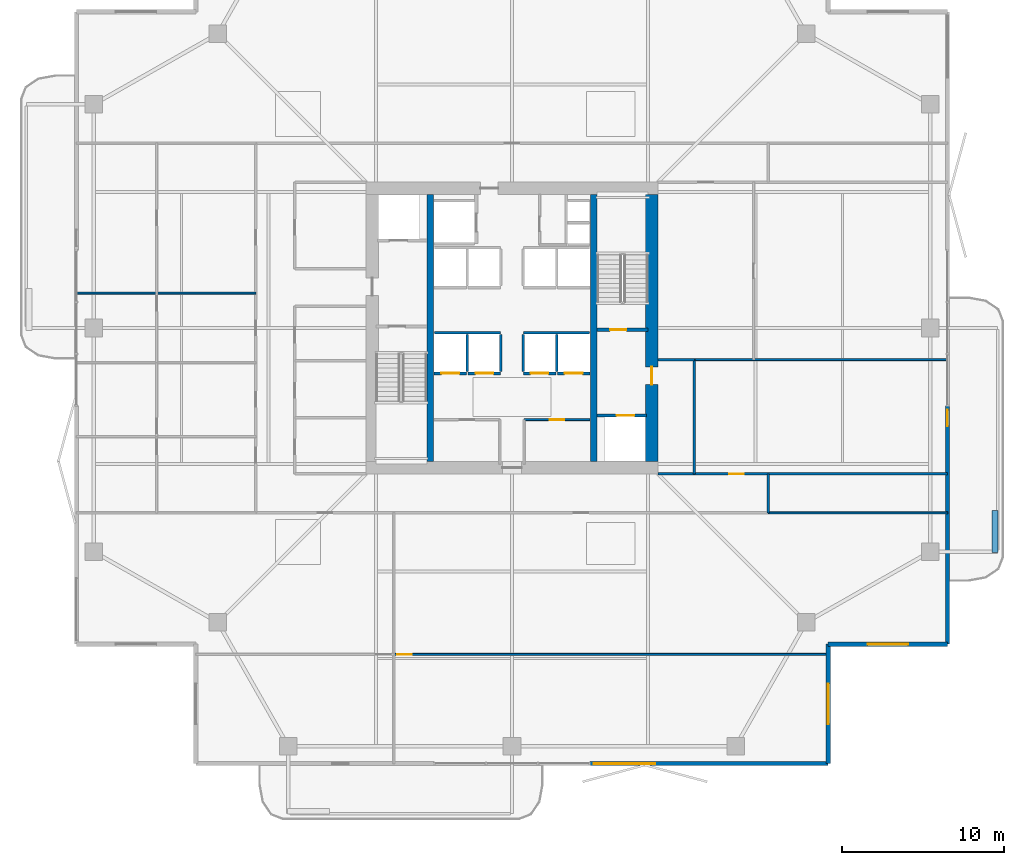
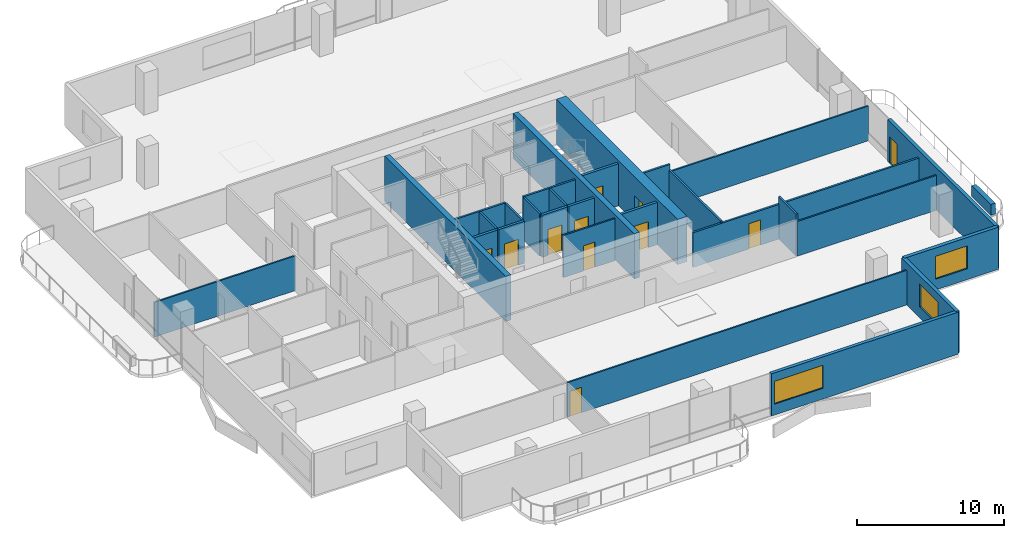
# One storey, part 18 of 23: 29 walls, 11 doors, 3 windows, 14 openings.
"""IFC4 building model written with IfcOpenShell, lengths in metres."""

from ifc_helpers import new_model, si_unit, direction, frame, frame_2d, origin, place, context, subcontext, project, spatial, rectangle, extrude, material, layer, layer_set, type_object, element, fill, save


model = new_model("IFC4")

# Units and contexts
model_context = context("Model", 3, precision=1e-05, world=origin(), true_north=direction((0.0, 1.0)))
body_context = subcontext(model_context, "Body", "Model", "MODEL_VIEW")
ifc_project = project(units=[si_unit("LENGTHUNIT", "METRE"), si_unit("AREAUNIT", "SQUARE_METRE"), si_unit("VOLUMEUNIT", "CUBIC_METRE"), si_unit("PLANEANGLEUNIT", "RADIAN"), si_unit("MASSUNIT", "GRAM", prefix="KILO")], contexts=[model_context])

# Site, building, storey
site_placement = place(None, origin())
site = spatial("IfcSite", under=ifc_project, at=site_placement, CompositionType="ELEMENT")
building_placement = place(site_placement, origin())
building = spatial("IfcBuilding", under=site, at=building_placement, Name="Belovzor Exchange Tower", CompositionType="ELEMENT")
storey_placement = place(building_placement, frame((0.0, 0.0, 229.949951171875)))
storey = spatial("IfcBuildingStorey", under=building, at=storey_placement, Name="L57", CompositionType="ELEMENT", Elevation=229.949951171875)

# Wall, opening, door
ifc_material_1 = material(Name="Acoustic Plasterboard on Galvanised Studs", Category="gypsum")
ifc_layer_1 = layer(ifc_material_1, 0.1201171875)
ifc_layer_set_1 = layer_set([ifc_layer_1], Name="Acoustic Plasterboard on Galvanised Studs")
wall_type_1 = type_object("IfcWallType", Name="Acoustic Double-Stud Partition Wall 120", PredefinedType="PARTITIONING", material=ifc_layer_set_1)
wall_1_placement = place(storey_placement, frame((21.510009765625, 8.6650390625, 0.0), z_axis=(0.0, 0.0, 1.0), x_axis=(1.0, 0.0, 0.0)))
wall_1 = element("IfcWall", 1, at=wall_1_placement, inside=storey, type_object=wall_type_1, Name="W-P120 Partition Wall W-L57-SHDIV-1", PredefinedType="PARTITIONING", context=body_context, shape_type="SweptSolid", body=[
    extrude(rectangle(XDim=26.7900390625, YDim=0.1201171875, at=frame_2d((13.39501953125, 0.0))), origin(), (0.0, 0.0, 1.0), 2.885009765625),
])
opening_1_placement = place(wall_1_placement, frame((0.199951171875, 0.0, 0.0)))
opening_1 = element("IfcOpeningElement", 2, at=opening_1_placement, cuts=wall_1, Name="Opening D-INT-090", PredefinedType="OPENING", context=body_context, shape_type="SweptSolid", body=[
    extrude(rectangle(XDim=0.89990234375, YDim=2.10009765625, at=frame_2d((0.449951171875, 1.050048828125))), frame((0.0, 0.070068359375, 0.0), z_axis=(0.0, -1.0, 0.0), x_axis=(1.0, 0.0, 0.0)), (0.0, 0.0, 1.0), 0.14013671875),
])
ifc_material_2 = material(Name="Veneered Hardwood Acoustic Leaf", Category="wood")
door_type_1 = type_object("IfcDoorType", Name="Trading Suite Acoustic Single Door 900x2100", OperationType="NOTDEFINED", PredefinedType="DOOR", material=ifc_material_2)
door_1_placement = place(opening_1_placement, origin())
door_1 = element("IfcDoor", 3, at=door_1_placement, inside=storey, type_object=door_type_1, Name="D-INT-090 Trading Suite Acoustic Single Door 900x2100", OperationType="SINGLE_SWING_LEFT", OverallHeight=2.10009765625, OverallWidth=0.89990234375, PredefinedType="DOOR", context=body_context, shape_type="SweptSolid", body=[
    extrude(rectangle(XDim=0.89990234375, YDim=2.10009765625, at=frame_2d((0.449951171875, 1.050048828125))), frame((0.0, 0.02490234375, 0.0), z_axis=(0.0, -1.0, 0.0), x_axis=(1.0, 0.0, 0.0)), (0.0, 0.0, 1.0), 0.050048828125),
])
fill(opening_1, door_1)

# Walls
wall_2_placement = place(storey_placement, frame((1.929931640625, 30.955078125, 0.0), z_axis=(0.0, 0.0, 1.0), x_axis=(1.0, 0.0, 0.0)))
element("IfcWall", 4, at=wall_2_placement, inside=storey, type_object=wall_type_1, Name="W-P120 Partition Wall W-L57-WDIV-3", PredefinedType="PARTITIONING", context=body_context, shape_type="SweptSolid", body=[
    extrude(rectangle(XDim=11.070068359375, YDim=0.1201171875, at=frame_2d((5.53515625, 0.0))), origin(), (0.0, 0.0, 1.0), 2.885009765625),
])
wall_3_placement = place(storey_placement, frame((40.050048828125, 26.85009765625, 0.0), z_axis=(0.0, 0.0, 1.0), x_axis=(1.0, 0.0, 0.0)))
element("IfcWall", 5, at=wall_3_placement, inside=storey, type_object=wall_type_1, Name="W-P120 Partition Wall W-L57-EDIV-1", PredefinedType="PARTITIONING", context=body_context, shape_type="SweptSolid", body=[
    extrude(rectangle(XDim=15.619873046875, YDim=0.1201171875, at=frame_2d((7.81005859375, 0.0))), origin(), (0.0, 0.0, 1.0), 2.885009765625),
])
wall_4_placement = place(storey_placement, frame((44.60009765625, 17.39990234375, 0.0), z_axis=(0.0, 0.0, 1.0), x_axis=(1.0, 0.0, 0.0)))
element("IfcWall", 6, at=wall_4_placement, inside=storey, type_object=wall_type_1, Name="W-P120 Partition Wall W-L57-END-SE", PredefinedType="PARTITIONING", context=body_context, shape_type="SweptSolid", body=[
    extrude(rectangle(XDim=11.06982421875, YDim=0.1201171875, at=frame_2d((5.534912109375, 0.0))), origin(), (0.0, 0.0, 1.0), 2.885009765625),
])

# Wall, opening, door
ifc_material_3 = material(Name="Fire-Rated Plasterboard on Galvanised Studs", Category="gypsum")
ifc_layer_2 = layer(ifc_material_3, 0.1201171875)
ifc_layer_set_2 = layer_set([ifc_layer_2], Name="Fire-Rated Plasterboard on Galvanised Studs")
wall_type_2 = type_object("IfcWallType", Name="Fire-Rated Double-Stud Partition Wall 120", PredefinedType="PARTITIONING", material=ifc_layer_set_2)
wall_5_placement = place(storey_placement, frame((29.550048828125, 23.14990234375, 0.0), z_axis=(0.0, 0.0, 1.0), x_axis=(1.0, 0.0, 0.0)))
wall_5 = element("IfcWall", 7, at=wall_5_placement, inside=storey, type_object=wall_type_2, Name="W-P120F Partition Wall W-CRL-L57-EN", PredefinedType="PARTITIONING", context=body_context, shape_type="SweptSolid", body=[
    extrude(rectangle(XDim=4.050048828125, YDim=0.1201171875, at=frame_2d((2.02490234375, 0.0))), origin(), (0.0, 0.0, 1.0), 3.5),
])
opening_2_placement = place(wall_5_placement, frame((1.574951171875, 0.0, 0.0)))
opening_2 = element("IfcOpeningElement", 8, at=opening_2_placement, cuts=wall_5, Name="Opening D-FD60-090", PredefinedType="OPENING", context=body_context, shape_type="SweptSolid", body=[
    extrude(rectangle(XDim=0.89990234375, YDim=2.10009765625, at=frame_2d((0.449951171875, 1.050048828125))), frame((0.0, 0.070068359375, 0.0), z_axis=(0.0, -1.0, 0.0), x_axis=(1.0, 0.0, 0.0)), (0.0, 0.0, 1.0), 0.14013671875),
])
ifc_material_4 = material(Name="Acoustic Timber Fire Leaf", Category="wood")
door_type_2 = type_object("IfcDoorType", Name="Core Service & Restroom Fire Door 900x2100", OperationType="NOTDEFINED", PredefinedType="DOOR", material=ifc_material_4)
door_2_placement = place(opening_2_placement, origin())
door_2 = element("IfcDoor", 9, at=door_2_placement, inside=storey, type_object=door_type_2, Name="D-FD60-090 Core Service & Restroom Fire Door 900x2100", OperationType="SINGLE_SWING_RIGHT", OverallHeight=2.10009765625, OverallWidth=0.89990234375, PredefinedType="DOOR", context=body_context, shape_type="SweptSolid", body=[
    extrude(rectangle(XDim=0.89990234375, YDim=2.10009765625, at=frame_2d((0.449951171875, 1.050048828125))), frame((0.0, 0.02490234375, 0.0), z_axis=(0.0, -1.0, 0.0), x_axis=(1.0, 0.0, 0.0)), (0.0, 0.0, 1.0), 0.050048828125),
])
fill(opening_2, door_2)

# Walls
ifc_material_5 = material(Name="Fire-Rated Gypsum Block and Mineral Wool", Category="gypsum")
ifc_layer_3 = layer(ifc_material_5, 0.14990234375)
ifc_layer_set_3 = layer_set([ifc_layer_3], Name="Fire-Rated Gypsum Block and Mineral Wool")
wall_type_3 = type_object("IfcWallType", Name="Fire-Rated Gypsum Block Corridor Wall 150", PredefinedType="PARTITIONING", material=ifc_layer_set_3)
wall_6_placement = place(storey_placement, frame((37.800048828125, 26.85009765625, 0.0), z_axis=(0.0, 0.0, 1.0), x_axis=(1.0, 0.0, 0.0)))
element("IfcWall", 10, at=wall_6_placement, inside=storey, type_object=wall_type_3, Name="W-P150 Partition Wall W-L57-CFE-N", PredefinedType="PARTITIONING", context=body_context, shape_type="SweptSolid", body=[
    extrude(rectangle(XDim=2.25, YDim=0.14990234375, at=frame_2d((1.125, 0.0))), origin(), (0.0, 0.0, 1.0), 3.5),
])
wall_7_placement = place(storey_placement, frame((40.050048828125, 19.800048828125, 0.0), z_axis=(0.0, 0.0, 1.0), x_axis=(0.0, 1.0, 0.0)))
element("IfcWall", 11, at=wall_7_placement, inside=storey, type_object=wall_type_3, Name="W-P150 Partition Wall W-L57-CFE-E", PredefinedType="PARTITIONING", context=body_context, shape_type="SweptSolid", body=[
    extrude(rectangle(XDim=7.050048828125, YDim=0.14990234375, at=frame_2d((3.52490234375, 0.0))), origin(), (0.0, 0.0, 1.0), 3.03515625),
])
wall_8_placement = place(storey_placement, frame((44.60009765625, 17.39990234375, 0.0), z_axis=(0.0, 0.0, 1.0), x_axis=(0.0, 1.0, 0.0)))
element("IfcWall", 12, at=wall_8_placement, inside=storey, type_object=wall_type_3, Name="W-P150 Partition Wall W-L57-END-ES", PredefinedType="PARTITIONING", context=body_context, shape_type="SweptSolid", body=[
    extrude(rectangle(XDim=2.400146484375, YDim=0.14990234375, at=frame_2d((1.2001953125, 0.0))), origin(), (0.0, 0.0, 1.0), 3.5),
])

# Wall, opening, door
wall_9_placement = place(storey_placement, frame((37.800048828125, 19.800048828125, 0.0), z_axis=(0.0, 0.0, 1.0), x_axis=(1.0, 0.0, 0.0)))
wall_9 = element("IfcWall", 13, at=wall_9_placement, inside=storey, type_object=wall_type_3, Name="W-P150 Partition Wall W-L57-CS-IN", PredefinedType="PARTITIONING", context=body_context, shape_type="SweptSolid", body=[
    extrude(rectangle(XDim=17.869873046875, YDim=0.14990234375, at=frame_2d((8.93505859375, 0.0))), origin(), (0.0, 0.0, 1.0), 2.885009765625),
])
opening_3_placement = place(wall_9_placement, frame((4.39990234375, 0.0, 0.0)))
opening_3 = element("IfcOpeningElement", 14, at=opening_3_placement, cuts=wall_9, Name="Opening D-INT-090", PredefinedType="OPENING", context=body_context, shape_type="SweptSolid", body=[
    extrude(rectangle(XDim=0.89990234375, YDim=2.10009765625, at=frame_2d((0.449951171875, 1.050048828125))), frame((0.0, 0.0849609375, 0.0), z_axis=(0.0, -1.0, 0.0), x_axis=(1.0, 0.0, 0.0)), (0.0, 0.0, 1.0), 0.169921875),
])
door_3_placement = place(opening_3_placement, origin())
door_3 = element("IfcDoor", 15, at=door_3_placement, inside=storey, type_object=door_type_1, Name="D-INT-090 Trading Suite Acoustic Single Door 900x2100", OperationType="SINGLE_SWING_LEFT", OverallHeight=2.10009765625, OverallWidth=0.89990234375, PredefinedType="DOOR", context=body_context, shape_type="SweptSolid", body=[
    extrude(rectangle(XDim=0.89990234375, YDim=2.10009765625, at=frame_2d((0.449951171875, 1.050048828125))), frame((0.0, 0.02490234375, 0.0), z_axis=(0.0, -1.0, 0.0), x_axis=(1.0, 0.0, 0.0)), (0.0, 0.0, 1.0), 0.050048828125),
])
fill(opening_3, door_3)

# Wall, opening, window
ifc_material_6 = material(Name="Precast concrete C40/50", Category="concrete")
ifc_layer_4 = layer(ifc_material_6, 0.280029296875)
ifc_layer_set_4 = layer_set([ifc_layer_4], Name="Precast concrete C40/50")
wall_type_4 = type_object("IfcWallType", Name="Precast Concrete Notched Corner Frame Wall 280", PredefinedType="SOLIDWALL", material=ifc_layer_set_4)
wall_10_placement = place(storey_placement, frame((55.669921875, 9.300048828125, 0.0), z_axis=(0.0, 0.0, 1.0), x_axis=(-1.0, 0.0, 0.0)))
wall_10 = element("IfcWall", 16, at=wall_10_placement, inside=storey, type_object=wall_type_4, Name="W-CRN280 Precast Concrete Notched Corner Frame Wall 280 L57", PredefinedType="SOLIDWALL", context=body_context, shape_type="SweptSolid", body=[
    extrude(rectangle(XDim=7.369873046875, YDim=0.280029296875, at=frame_2d((3.68505859375, 0.0))), origin(), (0.0, 0.0, 1.0), 3.5),
])
opening_4_placement = place(wall_10_placement, frame((2.43505859375, 0.0, 0.89990234375)))
opening_4 = element("IfcOpeningElement", 17, at=opening_4_placement, cuts=wall_10, Name="Opening WN-CRN250", PredefinedType="OPENING", context=body_context, shape_type="SweptSolid", body=[
    extrude(rectangle(XDim=2.5, YDim=1.89990234375, at=frame_2d((1.25, 0.949951171875))), frame((0.0, 0.14990234375, 0.0), z_axis=(0.0, -1.0, 0.0), x_axis=(1.0, 0.0, 0.0)), (0.0, 0.0, 1.0), 0.300048828125),
])
ifc_material_7 = material(Name="Thermally Broken Aluminium and Triple Glazing", Category="aluminium")
window_type_1 = type_object("IfcWindowType", Name="Streamline Moderne Corner Wrap Ribbon Window 2500x1900", PartitioningType="SINGLE_PANEL", PredefinedType="WINDOW", material=ifc_material_7)
window_1_placement = place(opening_4_placement, origin())
window_1 = element("IfcWindow", 18, at=window_1_placement, inside=storey, type_object=window_type_1, Name="WN-CRN250 Streamline Moderne Corner Wrap Ribbon Window 2500x1900", OverallHeight=1.89990234375, OverallWidth=2.5, PartitioningType="SINGLE_PANEL", PredefinedType="WINDOW", context=body_context, shape_type="SweptSolid", body=[
    extrude(rectangle(XDim=2.5, YDim=1.89990234375, at=frame_2d((1.25, 0.949951171875))), frame((0.0, 0.030029296875, 0.0), z_axis=(0.0, -1.0, 0.0), x_axis=(1.0, 0.0, 0.0)), (0.0, 0.0, 1.0), 0.06005859375),
])
fill(opening_4, window_1)

wall_11_placement = place(storey_placement, frame((48.300048828125, 9.300048828125, 0.0), z_axis=(0.0, 0.0, 1.0), x_axis=(0.0, -1.0, 0.0)))
wall_11 = element("IfcWall", 19, at=wall_11_placement, inside=storey, type_object=wall_type_4, Name="W-CRN280 Precast Concrete Notched Corner Frame Wall 280 L57", PredefinedType="SOLIDWALL", context=body_context, shape_type="SweptSolid", body=[
    extrude(rectangle(XDim=7.3701171875, YDim=0.280029296875, at=frame_2d((3.68505859375, 0.0))), origin(), (0.0, 0.0, 1.0), 3.5),
])
opening_5_placement = place(wall_11_placement, frame((2.43505859375, 0.0, 0.89990234375)))
opening_5 = element("IfcOpeningElement", 20, at=opening_5_placement, cuts=wall_11, Name="Opening WN-CRN250", PredefinedType="OPENING", context=body_context, shape_type="SweptSolid", body=[
    extrude(rectangle(XDim=2.5, YDim=1.89990234375, at=frame_2d((1.25, 0.949951171875))), frame((0.0, 0.14990234375, 0.0), z_axis=(0.0, -1.0, 0.0), x_axis=(1.0, 0.0, 0.0)), (0.0, 0.0, 1.0), 0.300048828125),
])
window_2_placement = place(opening_5_placement, origin())
window_2 = element("IfcWindow", 21, at=window_2_placement, inside=storey, type_object=window_type_1, Name="WN-CRN250 Streamline Moderne Corner Wrap Ribbon Window 2500x1900", OverallHeight=1.89990234375, OverallWidth=2.5, PartitioningType="SINGLE_PANEL", PredefinedType="WINDOW", context=body_context, shape_type="SweptSolid", body=[
    extrude(rectangle(XDim=2.5, YDim=1.89990234375, at=frame_2d((1.25, 0.949951171875))), frame((0.0, 0.030029296875, 0.0), z_axis=(0.0, -1.0, 0.0), x_axis=(1.0, 0.0, 0.0)), (0.0, 0.0, 1.0), 0.06005859375),
])
fill(opening_5, window_2)

ifc_material_8 = material(Name="Precast concrete C40/50", Category="concrete")
ifc_layer_5 = layer(ifc_material_8, 0.260009765625)
ifc_layer_set_5 = layer_set([ifc_layer_5], Name="Precast concrete C40/50")
wall_type_5 = type_object("IfcWallType", Name="Precast Concrete Perimeter Loggia Frame Wall 260", PredefinedType="SOLIDWALL", material=ifc_layer_set_5)
wall_12_placement = place(storey_placement, frame((48.300048828125, 1.929931640625, 0.0), z_axis=(0.0, 0.0, 1.0), x_axis=(-1.0, 0.0, 0.0)))
wall_12 = element("IfcWall", 22, at=wall_12_placement, inside=storey, type_object=wall_type_5, Name="W-EXT260 Precast Concrete Perimeter Loggia Frame Wall 260 L57", PredefinedType="SOLIDWALL", context=body_context, shape_type="SweptSolid", body=[
    extrude(rectangle(XDim=14.699951171875, YDim=0.260009765625, at=frame_2d((7.35009765625, 0.0))), origin(), (0.0, 0.0, 1.0), 3.5),
])
opening_6_placement = place(wall_12_placement, frame((10.64990234375, 0.0, 0.89990234375)))
opening_6 = element("IfcOpeningElement", 23, at=opening_6_placement, cuts=wall_12, Name="Opening WN-RIB380", PredefinedType="OPENING", context=body_context, shape_type="SweptSolid", body=[
    extrude(rectangle(XDim=3.800048828125, YDim=1.89990234375, at=frame_2d((1.89990234375, 0.949951171875))), frame((0.0, 0.139892578125, 0.0), z_axis=(0.0, -1.0, 0.0), x_axis=(1.0, 0.0, 0.0)), (0.0, 0.0, 1.0), 0.280029296875),
])
ifc_material_9 = material(Name="Thermally Broken Aluminium and Triple Glazing", Category="aluminium")
window_type_2 = type_object("IfcWindowType", Name="Streamline Moderne Horizontal Ribbon Window 3800x1900", PartitioningType="SINGLE_PANEL", PredefinedType="WINDOW", material=ifc_material_9)
window_3_placement = place(opening_6_placement, origin())
window_3 = element("IfcWindow", 24, at=window_3_placement, inside=storey, type_object=window_type_2, Name="WN-RIB380 Streamline Moderne Horizontal Ribbon Window 3800x1900", OverallHeight=1.89990234375, OverallWidth=3.800048828125, PartitioningType="SINGLE_PANEL", PredefinedType="WINDOW", context=body_context, shape_type="SweptSolid", body=[
    extrude(rectangle(XDim=3.800048828125, YDim=1.89990234375, at=frame_2d((1.89990234375, 0.949951171875))), frame((0.0, 0.030029296875, 0.0), z_axis=(0.0, -1.0, 0.0), x_axis=(1.0, 0.0, 0.0)), (0.0, 0.0, 1.0), 0.06005859375),
])
fill(opening_6, window_3)

# Wall, opening, door
wall_13_placement = place(storey_placement, frame((55.669921875, 24.0, 0.0), z_axis=(0.0, 0.0, 1.0), x_axis=(0.0, -1.0, 0.0)))
wall_13 = element("IfcWall", 25, at=wall_13_placement, inside=storey, type_object=wall_type_5, Name="W-EXT260 Precast Concrete Perimeter Loggia Frame Wall 260 L57", PredefinedType="SOLIDWALL", context=body_context, shape_type="SweptSolid", body=[
    extrude(rectangle(XDim=14.699951171875, YDim=0.260009765625, at=frame_2d((7.35009765625, 0.0))), origin(), (0.0, 0.0, 1.0), 3.5),
])
opening_7_placement = place(wall_13_placement, frame((0.25, 0.0, 0.0)))
opening_7 = element("IfcOpeningElement", 26, at=opening_7_placement, cuts=wall_13, Name="Opening D-BAL100", PredefinedType="OPENING", context=body_context, shape_type="SweptSolid", body=[
    extrude(rectangle(XDim=1.0, YDim=2.199951171875, at=frame_2d((0.5, 1.10009765625))), frame((0.0, 0.139892578125, 0.0), z_axis=(0.0, -1.0, 0.0), x_axis=(1.0, 0.0, 0.0)), (0.0, 0.0, 1.0), 0.280029296875),
])
ifc_material_10 = material(Name="Thermally Broken Anodised Aluminium and Laminated Glass", Category="aluminium")
door_type_3 = type_object("IfcDoorType", Name="Planted Loggia Terrace Glazed Door 1000x2200", OperationType="SINGLE_SWING_LEFT", PredefinedType="DOOR", material=ifc_material_10)
door_4_placement = place(opening_7_placement, origin())
door_4 = element("IfcDoor", 27, at=door_4_placement, inside=storey, type_object=door_type_3, Name="D-BAL100 Balcony Terrace Door L57 E", OperationType="SINGLE_SWING_LEFT", OverallHeight=2.199951171875, OverallWidth=1.0, PredefinedType="DOOR", context=body_context, shape_type="SweptSolid", body=[
    extrude(rectangle(XDim=1.0, YDim=2.199951171875, at=frame_2d((0.5, 1.10009765625))), frame((0.0, 0.02490234375, 0.0), z_axis=(0.0, -1.0, 0.0), x_axis=(1.0, 0.0, 0.0)), (0.0, 0.0, 1.0), 0.050048828125),
])
fill(opening_7, door_4)

# Walls
ifc_material_11 = material(Name="Precast concrete C40/50", Category="concrete")
ifc_layer_6 = layer(ifc_material_11, 0.35009765625)
ifc_layer_set_6 = layer_set([ifc_layer_6], Name="Precast concrete C40/50")
wall_type_6 = type_object("IfcWallType", Name="Precast Concrete Structural Tree Planter Trough 350", PredefinedType="PARAPET", material=ifc_layer_set_6)
wall_14_placement = place(storey_placement, frame((58.60009765625, 14.949951171875, 0.0), z_axis=(0.0, 0.0, 1.0), x_axis=(0.0, 1.0, 0.0)))
element("IfcWall", 28, at=wall_14_placement, inside=storey, type_object=wall_type_6, Name="PT-350 Precast Concrete Structural Tree Planter Trough 350 L57", PredefinedType="PARAPET", context=body_context, shape_type="SweptSolid", body=[
    extrude(rectangle(XDim=2.60009765625, YDim=0.35009765625, at=frame_2d((1.300048828125, 0.0))), origin(), (0.0, 0.0, 1.0), 0.900146484375),
])
ifc_material_12 = material(Name="Concrete C50/60", Category="concrete")
ifc_layer_7 = layer(ifc_material_12, 0.39990234375)
ifc_layer_set_7 = layer_set([ifc_layer_7], Name="Concrete C50/60")
wall_type_7 = type_object("IfcWallType", Name="Reinforced Concrete Core Internal Web Wall 400", PredefinedType="SHEAR", material=ifc_layer_set_7)
for number, where, z_axis, x_axis, name in (
    (29, (23.75, 20.550048828125, 0.0), (0.0, 0.0, 1.0), (0.0, 1.0, 0.0), "CW-W040 Core Internal Web Wall L57 WL"),
    (30, (33.85009765625, 20.550048828125, 0.0), (0.0, 0.0, 1.0), (0.0, 1.0, 0.0), "CW-W040 Core Internal Web Wall L57 ER"),
):
    element("IfcWall", number, at=place(storey_placement, frame(where, z_axis=z_axis, x_axis=x_axis)), inside=storey, type_object=wall_type_7, Name=name, PredefinedType="SHEAR", context=body_context, shape_type="SweptSolid", body=[
        extrude(rectangle(XDim=16.5, YDim=0.39990234375, at=frame_2d((8.25, 0.0))), origin(), (0.0, 0.0, 1.0), 3.75),
    ])
ifc_material_13 = material(Name="Concrete C50/60", Category="concrete")
ifc_layer_8 = layer(ifc_material_13, 0.14990234375)
ifc_layer_set_8 = layer_set([ifc_layer_8], Name="Concrete C50/60")
wall_type_8 = type_object("IfcWallType", Name="Reinforced Concrete Core Riser Shear Wall 150", PredefinedType="SHEAR", material=ifc_layer_set_8)
for number, where, z_axis, x_axis, name in (
    (31, (24.02001953125, 28.5, 0.0), (0.0, 0.0, 1.0), (1.0, 0.0, 0.0), "W-C150S Core Shaft Wall W-SHB-L57-PLM-NW"),
    (32, (29.5, 28.5, 0.0), (0.0, 0.0, 1.0), (1.0, 0.0, 0.0), "W-C150S Core Shaft Wall W-SHB-L57-PLM-NE"),
):
    element("IfcWall", number, at=place(storey_placement, frame(where, z_axis=z_axis, x_axis=x_axis)), inside=storey, type_object=wall_type_8, Name=name, PredefinedType="SHEAR", context=body_context, shape_type="SweptSolid", body=[
        extrude(rectangle(XDim=4.080078125, YDim=0.14990234375, at=frame_2d((2.0400390625, 0.0))), origin(), (0.0, 0.0, 1.0), 3.5),
    ])
for number, where, z_axis, x_axis, name in (
    (33, (26.050048828125, 26.1201171875, 0.0), (0.0, 0.0, 1.0), (0.0, 1.0, 0.0), "W-C150S Core Shaft Wall W-SHD-L57-PLM-1"),
    (34, (28.10009765625, 26.1201171875, 0.0), (0.0, 0.0, 1.0), (0.0, 1.0, 0.0), "W-C150S Core Shaft Wall W-SHD-L57-PLM-2"),
    (35, (29.5, 26.1201171875, 0.0), (0.0, 0.0, 1.0), (0.0, 1.0, 0.0), "W-C150S Core Shaft Wall W-SHD-L57-PLM-3"),
    (36, (31.550048828125, 26.1201171875, 0.0), (0.0, 0.0, 1.0), (0.0, 1.0, 0.0), "W-C150S Core Shaft Wall W-SHD-L57-PLM-4"),
):
    element("IfcWall", number, at=place(storey_placement, frame(where, z_axis=z_axis, x_axis=x_axis)), inside=storey, type_object=wall_type_8, Name=name, PredefinedType="SHEAR", context=body_context, shape_type="SweptSolid", body=[
        extrude(rectangle(XDim=2.27978515625, YDim=0.14990234375, at=frame_2d((1.139892578125, 0.0))), origin(), (0.0, 0.0, 1.0), 3.5),
    ])

# Wall, opening, door
ifc_material_14 = material(Name="Concrete C50/60", Category="concrete")
ifc_layer_9 = layer(ifc_material_14, 0.199951171875)
ifc_layer_set_9 = layer_set([ifc_layer_9], Name="Concrete C50/60")
wall_type_9 = type_object("IfcWallType", Name="Reinforced Concrete Core Shaft Shear Wall 200", PredefinedType="SHEAR", material=ifc_layer_set_9)
wall_15_placement = place(storey_placement, frame((34.050048828125, 28.699951171875, 0.0), z_axis=(0.0, 0.0, 1.0), x_axis=(1.0, 0.0, 0.0)))
wall_15 = element("IfcWall", 37, at=wall_15_placement, inside=storey, type_object=wall_type_9, Name="W-C200S Core Shaft Wall W-CORE-L57-FFLE2", PredefinedType="SHEAR", context=body_context, shape_type="SweptSolid", body=[
    extrude(rectangle(XDim=3.14990234375, YDim=0.199951171875, at=frame_2d((1.574951171875, 0.0))), origin(), (0.0, 0.0, 1.0), 3.5),
])
opening_8_placement = place(wall_15_placement, frame((0.800048828125, 0.0, 0.0)))
opening_8 = element("IfcOpeningElement", 38, at=opening_8_placement, cuts=wall_15, Name="Opening D-FD90-100", PredefinedType="OPENING", context=body_context, shape_type="SweptSolid", body=[
    extrude(rectangle(XDim=1.0, YDim=2.10009765625, at=frame_2d((0.5, 1.050048828125))), frame((0.0, 0.10986328125, 0.0), z_axis=(0.0, -1.0, 0.0), x_axis=(1.0, 0.0, 0.0)), (0.0, 0.0, 1.0), 0.219970703125),
])
ifc_material_15 = material(Name="Fire-Rated Galvanised Steel Leaf", Category="steel")
door_type_4 = type_object("IfcDoorType", Name="Protected Stairwell Single Fire Door 1000x2100", OperationType="NOTDEFINED", PredefinedType="DOOR", material=ifc_material_15)
door_5_placement = place(opening_8_placement, origin())
door_5 = element("IfcDoor", 39, at=door_5_placement, inside=storey, type_object=door_type_4, Name="D-FD90-100 Protected Stairwell Single Fire Door 1000x2100", OperationType="SINGLE_SWING_LEFT", OverallHeight=2.10009765625, OverallWidth=1.0, PredefinedType="DOOR", context=body_context, shape_type="SweptSolid", body=[
    extrude(rectangle(XDim=1.0, YDim=2.10009765625, at=frame_2d((0.5, 1.050048828125))), frame((0.0, 0.02490234375, 0.0), z_axis=(0.0, -1.0, 0.0), x_axis=(1.0, 0.0, 0.0)), (0.0, 0.0, 1.0), 0.050048828125),
])
fill(opening_8, door_5)

wall_16_placement = place(storey_placement, frame((34.050048828125, 23.39990234375, 0.0), z_axis=(0.0, 0.0, 1.0), x_axis=(1.0, 0.0, 0.0)))
wall_16 = element("IfcWall", 40, at=wall_16_placement, inside=storey, type_object=wall_type_9, Name="W-C200S Core Shaft Wall W-SH-L57-FFL-02", PredefinedType="SHEAR", context=body_context, shape_type="SweptSolid", body=[
    extrude(rectangle(XDim=3.050048828125, YDim=0.199951171875, at=frame_2d((1.52490234375, 0.0))), origin(), (0.0, 0.0, 1.0), 3.5),
])
opening_9_placement = place(wall_16_placement, frame((1.199951171875, 0.0, 0.0)))
opening_9 = element("IfcOpeningElement", 41, at=opening_9_placement, cuts=wall_16, Name="Opening LD-110", PredefinedType="OPENING", context=body_context, shape_type="SweptSolid", body=[
    extrude(rectangle(XDim=1.10009765625, YDim=2.14990234375, at=frame_2d((0.550048828125, 1.074951171875))), frame((0.0, 0.10986328125, 0.0), z_axis=(0.0, -1.0, 0.0), x_axis=(1.0, 0.0, 0.0)), (0.0, 0.0, 1.0), 0.219970703125),
])
ifc_material_16 = material(Name="Stainless Steel Grade 304", Category="steel")
door_type_5 = type_object("IfcDoorType", Name="Automated Stainless Steel Lift Landing Door 1100x2150", OperationType="SLIDING_TO_RIGHT", PredefinedType="DOOR", material=ifc_material_16)
door_6_placement = place(opening_9_placement, origin())
door_6 = element("IfcDoor", 42, at=door_6_placement, inside=storey, type_object=door_type_5, Name="LD-110 Automated Stainless Steel Lift Landing Door 1100x2150", OperationType="SLIDING_TO_RIGHT", OverallHeight=2.14990234375, OverallWidth=1.10009765625, PredefinedType="DOOR", context=body_context, shape_type="SweptSolid", body=[
    extrude(rectangle(XDim=1.10009765625, YDim=2.14990234375, at=frame_2d((0.550048828125, 1.074951171875))), frame((0.0, 0.02490234375, 0.0), z_axis=(0.0, -1.0, 0.0), x_axis=(1.0, 0.0, 0.0)), (0.0, 0.0, 1.0), 0.050048828125),
])
fill(opening_9, door_6)

wall_17_placement = place(storey_placement, frame((24.0, 26.0, 0.0), z_axis=(0.0, 0.0, 1.0), x_axis=(1.0, 0.0, 0.0)))
wall_17 = element("IfcWall", 43, at=wall_17_placement, inside=storey, type_object=wall_type_9, Name="W-C200S Core Shaft Wall W-SH-L57-PL-M1", PredefinedType="SHEAR", context=body_context, shape_type="SweptSolid", body=[
    extrude(rectangle(XDim=2.0, YDim=0.199951171875, at=frame_2d((1.0, 0.0))), origin(), (0.0, 0.0, 1.0), 3.5),
])
opening_10_placement = place(wall_17_placement, frame((0.449951171875, 0.0, 0.0)))
opening_10 = element("IfcOpeningElement", 44, at=opening_10_placement, cuts=wall_17, Name="Opening LD-110", PredefinedType="OPENING", context=body_context, shape_type="SweptSolid", body=[
    extrude(rectangle(XDim=1.10009765625, YDim=2.14990234375, at=frame_2d((0.550048828125, 1.074951171875))), frame((0.0, 0.10986328125, 0.0), z_axis=(0.0, -1.0, 0.0), x_axis=(1.0, 0.0, 0.0)), (0.0, 0.0, 1.0), 0.219970703125),
])
door_7_placement = place(opening_10_placement, origin())
door_7 = element("IfcDoor", 45, at=door_7_placement, inside=storey, type_object=door_type_5, Name="LD-110 Automated Stainless Steel Lift Landing Door 1100x2150", OperationType="SLIDING_TO_RIGHT", OverallHeight=2.14990234375, OverallWidth=1.10009765625, PredefinedType="DOOR", context=body_context, shape_type="SweptSolid", body=[
    extrude(rectangle(XDim=1.10009765625, YDim=2.14990234375, at=frame_2d((0.550048828125, 1.074951171875))), frame((0.0, 0.02490234375, 0.0), z_axis=(0.0, -1.0, 0.0), x_axis=(1.0, 0.0, 0.0)), (0.0, 0.0, 1.0), 0.050048828125),
])
fill(opening_10, door_7)

wall_18_placement = place(storey_placement, frame((26.10009765625, 26.0, 0.0), z_axis=(0.0, 0.0, 1.0), x_axis=(1.0, 0.0, 0.0)))
wall_18 = element("IfcWall", 46, at=wall_18_placement, inside=storey, type_object=wall_type_9, Name="W-C200S Core Shaft Wall W-SH-L57-PL-M2", PredefinedType="SHEAR", context=body_context, shape_type="SweptSolid", body=[
    extrude(rectangle(XDim=2.0, YDim=0.199951171875, at=frame_2d((1.0, 0.0))), origin(), (0.0, 0.0, 1.0), 3.5),
])
opening_11_placement = place(wall_18_placement, frame((0.449951171875, 0.0, 0.0)))
opening_11 = element("IfcOpeningElement", 47, at=opening_11_placement, cuts=wall_18, Name="Opening LD-110", PredefinedType="OPENING", context=body_context, shape_type="SweptSolid", body=[
    extrude(rectangle(XDim=1.10009765625, YDim=2.14990234375, at=frame_2d((0.550048828125, 1.074951171875))), frame((0.0, 0.10986328125, 0.0), z_axis=(0.0, -1.0, 0.0), x_axis=(1.0, 0.0, 0.0)), (0.0, 0.0, 1.0), 0.219970703125),
])
door_8_placement = place(opening_11_placement, origin())
door_8 = element("IfcDoor", 48, at=door_8_placement, inside=storey, type_object=door_type_5, Name="LD-110 Automated Stainless Steel Lift Landing Door 1100x2150", OperationType="SLIDING_TO_RIGHT", OverallHeight=2.14990234375, OverallWidth=1.10009765625, PredefinedType="DOOR", context=body_context, shape_type="SweptSolid", body=[
    extrude(rectangle(XDim=1.10009765625, YDim=2.14990234375, at=frame_2d((0.550048828125, 1.074951171875))), frame((0.0, 0.02490234375, 0.0), z_axis=(0.0, -1.0, 0.0), x_axis=(1.0, 0.0, 0.0)), (0.0, 0.0, 1.0), 0.050048828125),
])
fill(opening_11, door_8)

wall_19_placement = place(storey_placement, frame((29.5, 26.0, 0.0), z_axis=(0.0, 0.0, 1.0), x_axis=(1.0, 0.0, 0.0)))
wall_19 = element("IfcWall", 49, at=wall_19_placement, inside=storey, type_object=wall_type_9, Name="W-C200S Core Shaft Wall W-SH-L57-PL-M3", PredefinedType="SHEAR", context=body_context, shape_type="SweptSolid", body=[
    extrude(rectangle(XDim=2.0, YDim=0.199951171875, at=frame_2d((1.0, 0.0))), origin(), (0.0, 0.0, 1.0), 3.5),
])
opening_12_placement = place(wall_19_placement, frame((0.449951171875, 0.0, 0.0)))
opening_12 = element("IfcOpeningElement", 50, at=opening_12_placement, cuts=wall_19, Name="Opening LD-110", PredefinedType="OPENING", context=body_context, shape_type="SweptSolid", body=[
    extrude(rectangle(XDim=1.10009765625, YDim=2.14990234375, at=frame_2d((0.550048828125, 1.074951171875))), frame((0.0, 0.10986328125, 0.0), z_axis=(0.0, -1.0, 0.0), x_axis=(1.0, 0.0, 0.0)), (0.0, 0.0, 1.0), 0.219970703125),
])
door_9_placement = place(opening_12_placement, origin())
door_9 = element("IfcDoor", 51, at=door_9_placement, inside=storey, type_object=door_type_5, Name="LD-110 Automated Stainless Steel Lift Landing Door 1100x2150", OperationType="SLIDING_TO_RIGHT", OverallHeight=2.14990234375, OverallWidth=1.10009765625, PredefinedType="DOOR", context=body_context, shape_type="SweptSolid", body=[
    extrude(rectangle(XDim=1.10009765625, YDim=2.14990234375, at=frame_2d((0.550048828125, 1.074951171875))), frame((0.0, 0.02490234375, 0.0), z_axis=(0.0, -1.0, 0.0), x_axis=(1.0, 0.0, 0.0)), (0.0, 0.0, 1.0), 0.050048828125),
])
fill(opening_12, door_9)

wall_20_placement = place(storey_placement, frame((31.60009765625, 26.0, 0.0), z_axis=(0.0, 0.0, 1.0), x_axis=(1.0, 0.0, 0.0)))
wall_20 = element("IfcWall", 52, at=wall_20_placement, inside=storey, type_object=wall_type_9, Name="W-C200S Core Shaft Wall W-SH-L57-PL-M4", PredefinedType="SHEAR", context=body_context, shape_type="SweptSolid", body=[
    extrude(rectangle(XDim=2.0, YDim=0.199951171875, at=frame_2d((1.0, 0.0))), origin(), (0.0, 0.0, 1.0), 3.5),
])
opening_13_placement = place(wall_20_placement, frame((0.449951171875, 0.0, 0.0)))
opening_13 = element("IfcOpeningElement", 53, at=opening_13_placement, cuts=wall_20, Name="Opening LD-110", PredefinedType="OPENING", context=body_context, shape_type="SweptSolid", body=[
    extrude(rectangle(XDim=1.10009765625, YDim=2.14990234375, at=frame_2d((0.550048828125, 1.074951171875))), frame((0.0, 0.10986328125, 0.0), z_axis=(0.0, -1.0, 0.0), x_axis=(1.0, 0.0, 0.0)), (0.0, 0.0, 1.0), 0.219970703125),
])
door_10_placement = place(opening_13_placement, origin())
door_10 = element("IfcDoor", 54, at=door_10_placement, inside=storey, type_object=door_type_5, Name="LD-110 Automated Stainless Steel Lift Landing Door 1100x2150", OperationType="SLIDING_TO_RIGHT", OverallHeight=2.14990234375, OverallWidth=1.10009765625, PredefinedType="DOOR", context=body_context, shape_type="SweptSolid", body=[
    extrude(rectangle(XDim=1.10009765625, YDim=2.14990234375, at=frame_2d((0.550048828125, 1.074951171875))), frame((0.0, 0.02490234375, 0.0), z_axis=(0.0, -1.0, 0.0), x_axis=(1.0, 0.0, 0.0)), (0.0, 0.0, 1.0), 0.050048828125),
])
fill(opening_13, door_10)

ifc_material_17 = material(Name="Concrete C50/60", Category="concrete")
ifc_layer_10 = layer(ifc_material_17, 0.75)
ifc_layer_set_10 = layer_set([ifc_layer_10], Name="Concrete C50/60")
wall_type_10 = type_object("IfcWallType", Name="Reinforced Concrete Core Shear Wall 750", PredefinedType="SHEAR", material=ifc_layer_set_10)
wall_21_placement = place(storey_placement, frame((37.425048828125, 20.550048828125, 0.0), z_axis=(0.0, 0.0, 1.0), x_axis=(0.0, 1.0, 0.0)))
wall_21 = element("IfcWall", 55, at=wall_21_placement, inside=storey, type_object=wall_type_10, Name="CW-S075 Core Shear Wall L57 E", PredefinedType="SHEAR", context=body_context, shape_type="SweptSolid", body=[
    extrude(rectangle(XDim=16.5, YDim=0.75, at=frame_2d((8.25, 0.0))), origin(), (0.0, 0.0, 1.0), 3.75),
])
opening_14_placement = place(wall_21_placement, frame((4.75, 0.0, 0.0)))
opening_14 = element("IfcOpeningElement", 56, at=opening_14_placement, cuts=wall_21, Name="Opening D-FD90-110", PredefinedType="OPENING", context=body_context, shape_type="SweptSolid", body=[
    extrude(rectangle(XDim=1.10009765625, YDim=2.14990234375, at=frame_2d((0.550048828125, 1.074951171875))), frame((0.0, 0.385009765625, 0.0), z_axis=(0.0, -1.0, 0.0), x_axis=(1.0, 0.0, 0.0)), (0.0, 0.0, 1.0), 0.77001953125),
])
ifc_material_18 = material(Name="Fire-Rated Galvanised Steel Leaf", Category="steel")
door_type_6 = type_object("IfcDoorType", Name="Protected Escape Vestibule Fire Door 1100x2150", OperationType="NOTDEFINED", PredefinedType="DOOR", material=ifc_material_18)
door_11_placement = place(opening_14_placement, origin())
door_11 = element("IfcDoor", 57, at=door_11_placement, inside=storey, type_object=door_type_6, Name="D-FD90-110 Protected Escape Vestibule Fire Door 1100x2150", OperationType="SINGLE_SWING_RIGHT", OverallHeight=2.14990234375, OverallWidth=1.10009765625, PredefinedType="DOOR", context=body_context, shape_type="SweptSolid", body=[
    extrude(rectangle(XDim=1.10009765625, YDim=2.14990234375, at=frame_2d((0.550048828125, 1.074951171875))), frame((0.0, 0.02490234375, 0.0), z_axis=(0.0, -1.0, 0.0), x_axis=(1.0, 0.0, 0.0)), (0.0, 0.0, 1.0), 0.050048828125),
])
fill(opening_14, door_11)

save(model, "model.ifc")
